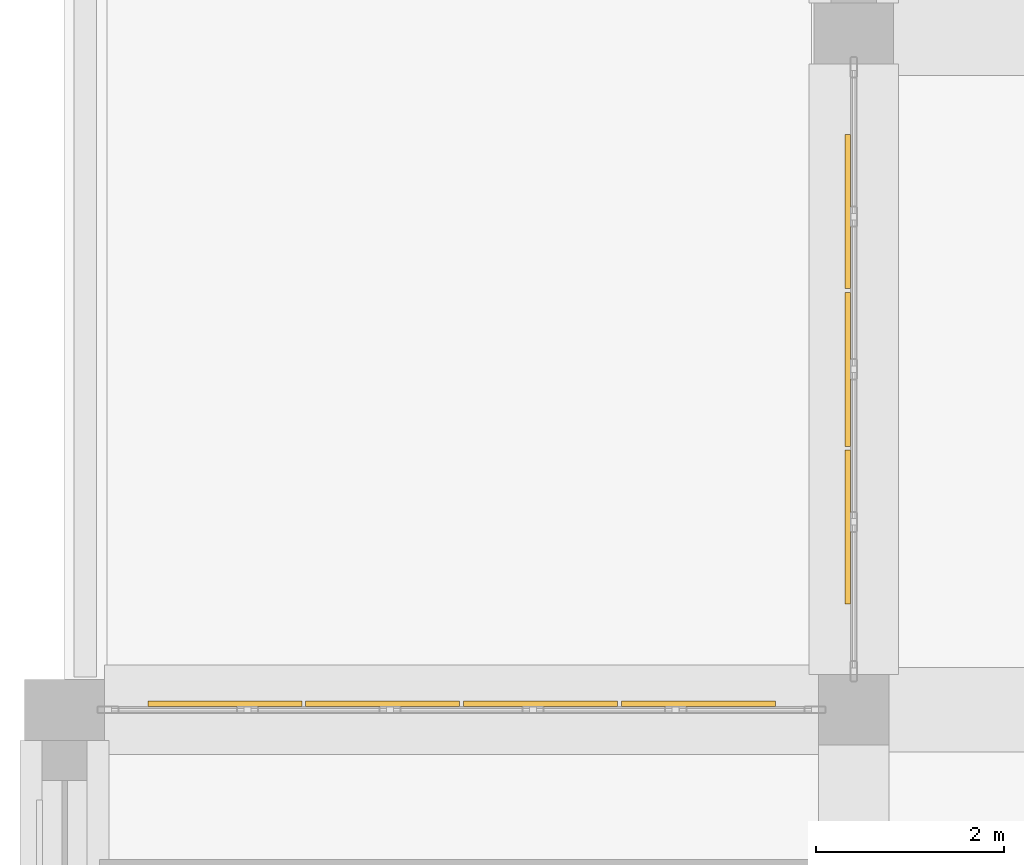
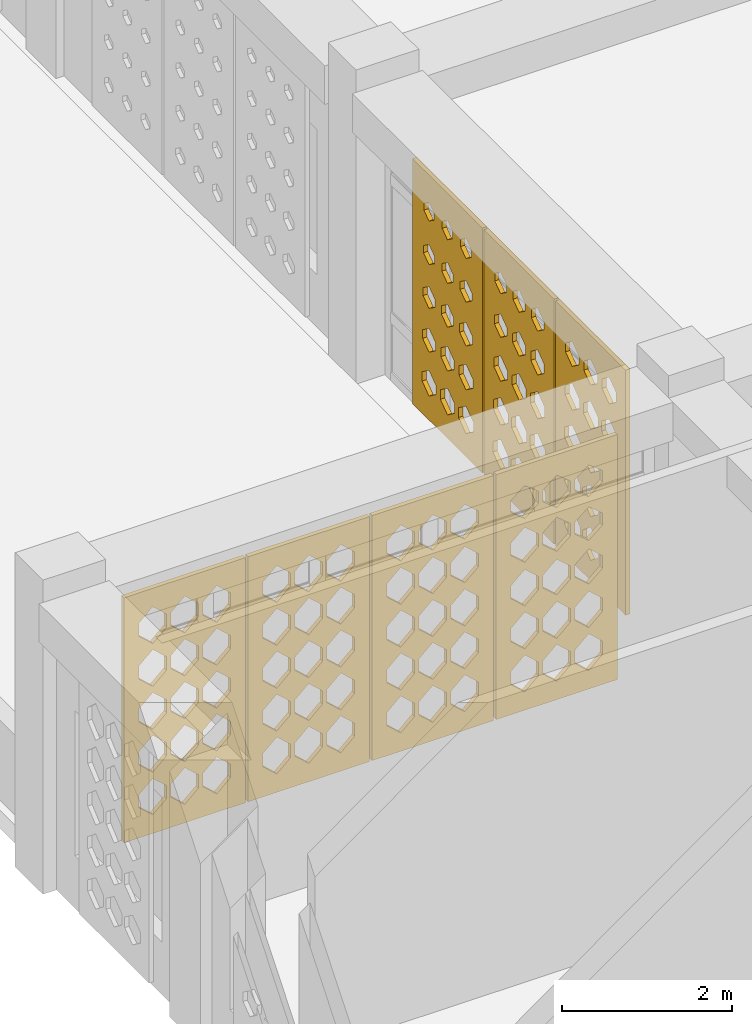
# One storey, part 74 of 100: 7 coverings.
"""IFC4 building model written with IfcOpenShell, lengths in metres."""

import ifcopenshell
import ifcopenshell.guid

model = None  # the IFC model being written
_history = None  # IfcOwnerHistory: only IFC2X3 demands one
_inside = {}  # id of a spatial element -> (the spatial element, [elements in it])
_under = {}  # id of a project, library or spatial element -> (it, [spatial elements below it])
_declared = {}  # id of a project -> (the project, [libraries it declares])
_typed = {}  # id of a type object -> (the type object, [elements of that type])
_made_of = {}  # id of a material, layer set ... -> (it, [elements and type objects made of it])


def new_model(schema):
    """Start an empty IFC model of exactly this schema.

    Asked for "IFC4X3", IfcOpenShell would pick the latest addendum, in which some entities
    have other attributes; the version numbers below select the first issue.
    IFC2X3 requires an IfcOwnerHistory on every rooted entity: one is made here for all.
    """
    global model, _history
    if schema == "IFC4X3":
        model = ifcopenshell.file(schema_version=(4, 3, 0, 0))
    else:
        model = ifcopenshell.file(schema=schema)
    _inside.clear()
    _under.clear()
    _declared.clear()
    _typed.clear()
    _made_of.clear()
    _history = None
    if model.schema == "IFC2X3":
        org = make("IfcOrganization", Name="unknown")
        user = make(
            "IfcPersonAndOrganization",
            ThePerson=make("IfcPerson", FamilyName="unknown"),
            TheOrganization=org,
        )
        app = make(
            "IfcApplication",
            ApplicationDeveloper=org,
            Version="unknown",
            ApplicationFullName="unknown",
            ApplicationIdentifier="unknown",
        )
        _history = make(
            "IfcOwnerHistory",
            OwningUser=user,
            OwningApplication=app,
            ChangeAction="ADDED",
            CreationDate=0,
        )
    return model


def make(cls, **values):
    """One entity of the class cls with the attributes given. An attribute that is None is left unset."""
    return model.create_entity(
        cls, **{name: value for name, value in values.items() if value is not None}
    )


def rooted(cls, **values):
    """An entity with a GlobalId (a new one), such as an element, a storey or a relation."""
    return make(cls, GlobalId=ifcopenshell.guid.new(), OwnerHistory=_history, **values)


def si_unit(unit_type, name, prefix=None):
    """IfcSIUnit, for example si_unit("LENGTHUNIT", "METRE", prefix="MILLI")."""
    return make("IfcSIUnit", UnitType=unit_type, Prefix=prefix, Name=name)


def derived_unit(unit_type, elements):
    """IfcDerivedUnit: a product of units, each with its exponent."""
    return make(
        "IfcDerivedUnit",
        Elements=[
            make("IfcDerivedUnitElement", Unit=unit, Exponent=power)
            for unit, power in elements
        ],
        UnitType=unit_type,
    )


def assignment(units):
    """IfcUnitAssignment: the units of a project."""
    return None if units is None else make("IfcUnitAssignment", Units=units)


def point(xyz):
    """IfcCartesianPoint."""
    return None if xyz is None else make("IfcCartesianPoint", Coordinates=xyz)


def direction(xyz):
    """IfcDirection."""
    return None if xyz is None else make("IfcDirection", DirectionRatios=xyz)


def frame(location, z_axis=None, x_axis=None):
    """IfcAxis2Placement3D, a coordinate frame: its origin and axes. An axis left out is left unset."""
    return make(
        "IfcAxis2Placement3D",
        Location=point(location),
        Axis=direction(z_axis),
        RefDirection=direction(x_axis),
    )


def origin():
    """The frame at (0, 0, 0) with its axes left unset."""
    return frame((0.0, 0.0, 0.0))


def place(relative_to, where):
    """IfcLocalPlacement: puts the frame where relative to a parent placement (None: the world)."""
    return make(
        "IfcLocalPlacement", PlacementRelTo=relative_to, RelativePlacement=where
    )


def context(
    kind, dimensions, precision=None, world=None, true_north=None, identifier=None
):
    """IfcGeometricRepresentationContext, for example the 3D "Model" context."""
    return make(
        "IfcGeometricRepresentationContext",
        ContextIdentifier=identifier,
        ContextType=kind,
        CoordinateSpaceDimension=dimensions,
        Precision=precision,
        WorldCoordinateSystem=world,
        TrueNorth=true_north,
    )


def subcontext(parent, identifier, kind, view, scale=None):
    """IfcGeometricRepresentationSubContext, for example "Body" below "Model"."""
    return make(
        "IfcGeometricRepresentationSubContext",
        ContextIdentifier=identifier,
        ContextType=kind,
        ParentContext=parent,
        TargetScale=scale,
        TargetView=view,
    )


def project(units=None, contexts=None):
    """IfcProject with its units and contexts."""
    return rooted(
        "IfcProject",
        Name="project",
        RepresentationContexts=contexts,
        UnitsInContext=assignment(units),
    )


def spatial(cls, under=None, at=None, **own):
    """A site, building, storey or space (cls), placed at a placement, below another one or the project."""
    s = rooted(cls, ObjectPlacement=at, **own)
    if under is not None:
        _under.setdefault(under.id(), (under, []))[1].append(s)
    return s


def polyline(points):
    """IfcPolyline through the points."""
    return make("IfcPolyline", Points=[point(p) for p in points])


def outline(outer, holes=None, kind="AREA"):
    """IfcArbitraryClosedProfileDef: a profile drawn as a closed curve; with holes, ...WithVoids."""
    if holes is None:
        return make("IfcArbitraryClosedProfileDef", ProfileType=kind, OuterCurve=outer)
    return make(
        "IfcArbitraryProfileDefWithVoids",
        ProfileType=kind,
        OuterCurve=outer,
        InnerCurves=holes,
    )


def extrude(swept, where, along, depth):
    """IfcExtrudedAreaSolid: the profile swept, set in the frame where, extruded along a direction by depth."""
    return make(
        "IfcExtrudedAreaSolid",
        SweptArea=swept,
        Position=where,
        ExtrudedDirection=direction(along),
        Depth=depth,
    )


def shape(context_of_items, identifier, shape_type, items):
    """IfcShapeRepresentation: the items that make up one representation, for example the "Body"."""
    return make(
        "IfcShapeRepresentation",
        ContextOfItems=context_of_items,
        RepresentationIdentifier=identifier,
        RepresentationType=shape_type,
        Items=items,
    )


def material(Name=None, Category=None):
    """IfcMaterial."""
    return make("IfcMaterial", Name=Name, Category=Category)


def layer(
    of_material, thickness, ventilated=None, Name=None, Category=None, Priority=None
):
    """IfcMaterialLayer: one layer of a wall or slab, of a material (None: an air gap)."""
    return make(
        "IfcMaterialLayer",
        Material=of_material,
        LayerThickness=thickness,
        IsVentilated=ventilated,
        Name=Name,
        Category=Category,
        Priority=Priority,
    )


def layer_set(layers, Name=None):
    """IfcMaterialLayerSet."""
    return make("IfcMaterialLayerSet", MaterialLayers=layers, LayerSetName=Name)


def made_of(thing, what):
    """Note that an element or type object is made of a material, layer set ...; save() writes the relation."""
    if what is not None:
        _made_of.setdefault(what.id(), (what, []))[1].append(thing)
    return thing


def type_object(cls, material=None, **own):
    """A type object (cls), such as IfcWallType, which elements share."""
    return made_of(rooted(cls, **own), material)


def element(
    cls,
    number,
    at=None,
    inside=None,
    cuts=None,
    type_object=None,
    material=None,
    context=None,
    identifier="Body",
    shape_type=None,
    held_by="IfcProductDefinitionShape",
    body=None,
    shapes=None,
    **own,
):
    """One element of the class cls, such as IfcWall. Its Tag is "e" and its number.

    at: its placement. inside: the storey or other place that contains it. cuts: it is an
    opening in that element (IfcRelVoidsElement). A single representation is given by context,
    identifier, shape_type and body (its items); several are given by shapes. held_by: the class
    of the entity that holds the representations. save() writes the other relations.
    """
    e = rooted(cls, Tag="e%d" % number, ObjectPlacement=at, **own)
    if body is not None:
        shapes = [shape(context, identifier, shape_type, body)]
    if shapes is not None:
        e.Representation = make(held_by, Representations=shapes)
    if inside is not None:
        _inside.setdefault(inside.id(), (inside, []))[1].append(e)
    if cuts is not None:
        rooted(
            "IfcRelVoidsElement", RelatingBuildingElement=cuts, RelatedOpeningElement=e
        )
    if type_object is not None:
        _typed.setdefault(type_object.id(), (type_object, []))[1].append(e)
    return made_of(e, material)


def aggregate(whole, parts):
    """IfcRelAggregates: a whole, such as a stair, and the parts it consists of."""
    return rooted("IfcRelAggregates", RelatingObject=whole, RelatedObjects=parts)


def save(model, path):
    """Write the relations noted so far, then the file.

    IfcRelAggregates (storeys below a building ...), IfcRelContainedInSpatialStructure (elements
    in a storey), IfcRelDefinesByType, IfcRelAssociatesMaterial and IfcRelDeclares: one each for
    every whole, place, type object, material and project.
    """
    for whole, parts in _under.values():
        aggregate(whole, parts)
    for where, things in _inside.values():
        rooted(
            "IfcRelContainedInSpatialStructure",
            RelatedElements=things,
            RelatingStructure=where,
        )
    for kind, things in _typed.values():
        rooted("IfcRelDefinesByType", RelatedObjects=things, RelatingType=kind)
    for what, things in _made_of.values():
        rooted("IfcRelAssociatesMaterial", RelatedObjects=things, RelatingMaterial=what)
    for by, libraries in _declared.values():
        rooted("IfcRelDeclares", RelatingContext=by, RelatedDefinitions=libraries)
    model.write(path)


model = new_model("IFC4")

# Units and contexts
model_context = context("Model", 3, precision=1e-05, world=origin(), true_north=direction((0.0, 1.0)))
body_context = subcontext(model_context, "Body", "Model", "MODEL_VIEW")
ifc_project = project(units=[si_unit("LENGTHUNIT", "METRE"), si_unit("AREAUNIT", "SQUARE_METRE"), si_unit("VOLUMEUNIT", "CUBIC_METRE"), si_unit("PLANEANGLEUNIT", "RADIAN"), si_unit("MASSUNIT", "GRAM", prefix="KILO"), derived_unit("THERMALTRANSMITTANCEUNIT", [(si_unit("POWERUNIT", "WATT"), 1), (si_unit("LENGTHUNIT", "METRE"), -2), (si_unit("THERMODYNAMICTEMPERATUREUNIT", "KELVIN"), -1)])], contexts=[model_context])

# Site, building, storey
site_placement = place(None, origin())
site = spatial("IfcSite", under=ifc_project, at=site_placement, CompositionType="ELEMENT")
building_placement = place(site_placement, origin())
building = spatial("IfcBuilding", under=site, at=building_placement, Name="Veybourne Emporium", CompositionType="ELEMENT")
storey_placement = place(building_placement, frame((0.0, 0.0, 14.39990234375)))
storey = spatial("IfcBuildingStorey", under=building, at=storey_placement, Name="L03", CompositionType="ELEMENT", Elevation=14.39990234375)

# Coverings
ifc_material = material(Name="Warm-White Perforated Aluminium Screen Alloy", Category="aluminium")
ifc_layer_1 = layer(ifc_material, 0.06005859375)
ifc_layer_set_1 = layer_set([ifc_layer_1], Name="Warm-White Perforated Aluminium Screen Alloy")
covering_type_1 = type_object("IfcCoveringType", Name="WaveScreen_SCR-01", PredefinedType="CLADDING", material=ifc_layer_set_1)
covering_1_placement = place(storey_placement, frame((5.06494140625, 50.49560546875, 1.815185546875), z_axis=(0.0, -1.0, 0.0), x_axis=(1.0, 0.0, 0.0)))
element("IfcCovering", 1, at=covering_1_placement, inside=storey, type_object=covering_type_1, Name="L03 wave-perforated aluminium screen SCR-01 (6C.3)", PredefinedType="CLADDING", context=body_context, shape_type="SweptSolid", body=[
    extrude(outline(polyline([(-0.81982421875, -1.7548828125), (0.81982421875, -1.7548828125), (0.81982421875, 1.7548828125), (-0.81982421875, 1.7548828125), (-0.81982421875, -1.7548828125)]), holes=[polyline([(-0.433349609375, -0.964111328125), (-0.2470703125, -1.133056640625), (-0.2470703125, -1.322998046875), (-0.433349609375, -1.491943359375), (-0.61962890625, -1.322998046875), (-0.61962890625, -1.133056640625), (-0.433349609375, -0.964111328125)]), polyline([(-0.433349609375, -0.35009765625), (-0.2470703125, -0.51904296875), (-0.2470703125, -0.708984375), (-0.433349609375, -0.8779296875), (-0.61962890625, -0.708984375), (-0.61962890625, -0.51904296875), (-0.433349609375, -0.35009765625)]), polyline([(-0.433349609375, 0.263916015625), (-0.2470703125, 0.094970703125), (-0.2470703125, -0.094970703125), (-0.433349609375, -0.263916015625), (-0.61962890625, -0.094970703125), (-0.61962890625, 0.094970703125), (-0.433349609375, 0.263916015625)]), polyline([(-0.433349609375, 0.8779296875), (-0.2470703125, 0.708984375), (-0.2470703125, 0.51904296875), (-0.433349609375, 0.35009765625), (-0.61962890625, 0.51904296875), (-0.61962890625, 0.708984375), (-0.433349609375, 0.8779296875)]), polyline([(-0.433349609375, 1.485595703125), (-0.2470703125, 1.32080078125), (-0.2470703125, 1.13525390625), (-0.433349609375, 0.970458984375), (-0.61962890625, 1.13525390625), (-0.61962890625, 1.32080078125), (-0.433349609375, 1.485595703125)]), polyline([(0.0, -0.964111328125), (0.186279296875, -1.133056640625), (0.186279296875, -1.322998046875), (0.0, -1.491943359375), (-0.186279296875, -1.322998046875), (-0.186279296875, -1.133056640625), (0.0, -0.964111328125)]), polyline([(0.0, -0.35009765625), (0.186279296875, -0.51904296875), (0.186279296875, -0.708984375), (0.0, -0.8779296875), (-0.186279296875, -0.708984375), (-0.186279296875, -0.51904296875), (0.0, -0.35009765625)]), polyline([(0.0, 0.263916015625), (0.186279296875, 0.094970703125), (0.186279296875, -0.094970703125), (0.0, -0.263916015625), (-0.186279296875, -0.094970703125), (-0.186279296875, 0.094970703125), (0.0, 0.263916015625)]), polyline([(0.0, 0.8759765625), (0.186279296875, 0.708251953125), (0.186279296875, 0.519775390625), (0.0, 0.35205078125), (-0.186279296875, 0.519775390625), (-0.186279296875, 0.708251953125), (0.0, 0.8759765625)]), polyline([(0.0, 1.481201171875), (0.186279296875, 1.319091796875), (0.186279296875, 1.13671875), (0.0, 0.974609375), (-0.186279296875, 1.13671875), (-0.186279296875, 1.319091796875), (0.0, 1.481201171875)]), polyline([(0.433349609375, -0.964111328125), (0.61962890625, -1.133056640625), (0.61962890625, -1.322998046875), (0.433349609375, -1.491943359375), (0.2470703125, -1.322998046875), (0.2470703125, -1.133056640625), (0.433349609375, -0.964111328125)]), polyline([(0.433349609375, -0.35009765625), (0.61962890625, -0.51904296875), (0.61962890625, -0.708984375), (0.433349609375, -0.8779296875), (0.2470703125, -0.708984375), (0.2470703125, -0.51904296875), (0.433349609375, -0.35009765625)]), polyline([(0.433349609375, 0.263916015625), (0.61962890625, 0.094970703125), (0.61962890625, -0.094970703125), (0.433349609375, -0.263916015625), (0.2470703125, -0.094970703125), (0.2470703125, 0.094970703125), (0.433349609375, 0.263916015625)]), polyline([(0.433349609375, 0.872314453125), (0.61962890625, 0.70703125), (0.61962890625, 0.52099609375), (0.433349609375, 0.355712890625), (0.2470703125, 0.52099609375), (0.2470703125, 0.70703125), (0.433349609375, 0.872314453125)]), polyline([(0.433349609375, 1.476806640625), (0.61962890625, 1.317626953125), (0.61962890625, 1.138427734375), (0.433349609375, 0.979248046875), (0.2470703125, 1.138427734375), (0.2470703125, 1.317626953125), (0.433349609375, 1.476806640625)])]), origin(), (0.0, 0.0, 1.0), 0.06005859375),
])
ifc_layer_2 = layer(ifc_material, 0.06005859375)
ifc_layer_set_2 = layer_set([ifc_layer_2], Name="Warm-White Perforated Aluminium Screen Alloy")
covering_type_2 = type_object("IfcCoveringType", Name="WaveScreen_SCR-02", PredefinedType="CLADDING", material=ifc_layer_set_2)
covering_2_placement = place(storey_placement, frame((6.7451171875, 50.49560546875, 1.815185546875), z_axis=(0.0, -1.0, 0.0), x_axis=(1.0, 0.0, 0.0)))
element("IfcCovering", 2, at=covering_2_placement, inside=storey, type_object=covering_type_2, Name="L03 wave-perforated aluminium screen SCR-02 (6C.4)", PredefinedType="CLADDING", context=body_context, shape_type="SweptSolid", body=[
    extrude(outline(polyline([(-0.81982421875, -1.7548828125), (0.81982421875, -1.7548828125), (0.81982421875, 1.7548828125), (-0.81982421875, 1.7548828125), (-0.81982421875, -1.7548828125)]), holes=[polyline([(-0.433349609375, -0.964111328125), (-0.2470703125, -1.133056640625), (-0.2470703125, -1.322998046875), (-0.433349609375, -1.491943359375), (-0.61962890625, -1.322998046875), (-0.61962890625, -1.133056640625), (-0.433349609375, -0.964111328125)]), polyline([(-0.433349609375, -0.35009765625), (-0.2470703125, -0.51904296875), (-0.2470703125, -0.708984375), (-0.433349609375, -0.8779296875), (-0.61962890625, -0.708984375), (-0.61962890625, -0.51904296875), (-0.433349609375, -0.35009765625)]), polyline([(-0.433349609375, 0.259521484375), (-0.2470703125, 0.093505859375), (-0.2470703125, -0.093505859375), (-0.433349609375, -0.259521484375), (-0.61962890625, -0.093505859375), (-0.61962890625, 0.093505859375), (-0.433349609375, 0.259521484375)]), polyline([(-0.433349609375, 0.8642578125), (-0.2470703125, 0.7041015625), (-0.2470703125, 0.52392578125), (-0.433349609375, 0.36376953125), (-0.61962890625, 0.52392578125), (-0.61962890625, 0.7041015625), (-0.433349609375, 0.8642578125)]), polyline([(-0.433349609375, 1.46728515625), (-0.2470703125, 1.314208984375), (-0.2470703125, 1.141845703125), (-0.433349609375, 0.988525390625), (-0.61962890625, 1.141845703125), (-0.61962890625, 1.314208984375), (-0.433349609375, 1.46728515625)]), polyline([(0.0, -0.964111328125), (0.186279296875, -1.133056640625), (0.186279296875, -1.322998046875), (0.0, -1.491943359375), (-0.186279296875, -1.322998046875), (-0.186279296875, -1.133056640625), (0.0, -0.964111328125)]), polyline([(0.0, -0.350341796875), (0.186279296875, -0.51904296875), (0.186279296875, -0.708984375), (0.0, -0.877685546875), (-0.186279296875, -0.708984375), (-0.186279296875, -0.51904296875), (0.0, -0.350341796875)]), polyline([(0.0, 0.255615234375), (0.186279296875, 0.092041015625), (0.186279296875, -0.092041015625), (0.0, -0.255615234375), (-0.186279296875, -0.092041015625), (-0.186279296875, 0.092041015625), (0.0, 0.255615234375)]), polyline([(0.0, 0.859619140625), (0.186279296875, 0.702392578125), (0.186279296875, 0.525634765625), (0.0, 0.368408203125), (-0.186279296875, 0.525634765625), (-0.186279296875, 0.702392578125), (0.0, 0.859619140625)]), polyline([(0.0, 1.4619140625), (0.186279296875, 1.312255859375), (0.186279296875, 1.143798828125), (0.0, 0.994140625), (-0.186279296875, 1.143798828125), (-0.186279296875, 1.312255859375), (0.0, 1.4619140625)]), polyline([(0.433349609375, -0.964111328125), (0.61962890625, -1.133056640625), (0.61962890625, -1.322998046875), (0.433349609375, -1.491943359375), (0.2470703125, -1.322998046875), (0.2470703125, -1.133056640625), (0.433349609375, -0.964111328125)]), polyline([(0.433349609375, -0.353759765625), (0.61962890625, -0.520263671875), (0.61962890625, -0.707763671875), (0.433349609375, -0.874267578125), (0.2470703125, -0.707763671875), (0.2470703125, -0.520263671875), (0.433349609375, -0.353759765625)]), polyline([(0.433349609375, 0.251220703125), (0.61962890625, 0.09033203125), (0.61962890625, -0.09033203125), (0.433349609375, -0.251220703125), (0.2470703125, -0.09033203125), (0.2470703125, 0.09033203125), (0.433349609375, 0.251220703125)]), polyline([(0.433349609375, 0.8544921875), (0.61962890625, 0.70068359375), (0.61962890625, 0.52734375), (0.433349609375, 0.37353515625), (0.2470703125, 0.52734375), (0.2470703125, 0.70068359375), (0.433349609375, 0.8544921875)]), polyline([(0.433349609375, 1.456298828125), (0.61962890625, 1.310302734375), (0.61962890625, 1.145751953125), (0.433349609375, 0.999755859375), (0.2470703125, 1.145751953125), (0.2470703125, 1.310302734375), (0.433349609375, 1.456298828125)])]), origin(), (0.0, 0.0, 1.0), 0.06005859375),
])
covering_3_placement = place(storey_placement, frame((8.306884765625, 52.344970703125, 1.815185546875), z_axis=(1.0, 0.0, 0.0), x_axis=(0.0, 1.0, 0.0)))
element("IfcCovering", 3, at=covering_3_placement, inside=storey, type_object=covering_type_2, Name="L03 wave-perforated aluminium screen SCR-02 (9C.1)", PredefinedType="CLADDING", context=body_context, shape_type="SweptSolid", body=[
    extrude(outline(polyline([(-0.81982421875, -1.7548828125), (0.81982421875, -1.7548828125), (0.81982421875, 1.7548828125), (-0.81982421875, 1.7548828125), (-0.81982421875, -1.7548828125)]), holes=[polyline([(-0.433349609375, -0.984619140625), (-0.2470703125, -1.140380859375), (-0.2470703125, -1.315673828125), (-0.433349609375, -1.471435546875), (-0.61962890625, -1.315673828125), (-0.61962890625, -1.140380859375), (-0.433349609375, -0.984619140625)]), polyline([(-0.433349609375, -0.38232421875), (-0.2470703125, -0.530517578125), (-0.2470703125, -0.697509765625), (-0.433349609375, -0.845703125), (-0.61962890625, -0.697509765625), (-0.61962890625, -0.530517578125), (-0.433349609375, -0.38232421875)]), polyline([(-0.433349609375, 0.21875), (-0.2470703125, 0.07861328125), (-0.2470703125, -0.07861328125), (-0.433349609375, -0.21875), (-0.61962890625, -0.07861328125), (-0.61962890625, 0.07861328125), (-0.433349609375, 0.21875)]), polyline([(-0.433349609375, 0.81884765625), (-0.255615234375, 0.687744140625), (-0.255615234375, 0.540283203125), (-0.433349609375, 0.4091796875), (-0.611083984375, 0.540283203125), (-0.611083984375, 0.687744140625), (-0.433349609375, 0.81884765625)]), polyline([(-0.433349609375, 1.418701171875), (-0.26708984375, 1.296630859375), (-0.26708984375, 1.1591796875), (-0.433349609375, 1.037109375), (-0.599365234375, 1.1591796875), (-0.599365234375, 1.296630859375), (-0.433349609375, 1.418701171875)]), polyline([(0.0, -0.98974609375), (0.186279296875, -1.14208984375), (0.186279296875, -1.313720703125), (0.0, -1.46630859375), (-0.186279296875, -1.313720703125), (-0.186279296875, -1.14208984375), (0.0, -0.98974609375)]), polyline([(0.0, -0.38818359375), (0.186279296875, -0.53271484375), (0.186279296875, -0.6953125), (0.0, -0.83984375), (-0.186279296875, -0.6953125), (-0.186279296875, -0.53271484375), (0.0, -0.38818359375)]), polyline([(0.0, 0.21240234375), (0.183837890625, 0.076416015625), (0.183837890625, -0.076416015625), (0.0, -0.21240234375), (-0.183837890625, -0.076416015625), (-0.183837890625, 0.076416015625), (0.0, 0.21240234375)]), polyline([(0.0, 0.8125), (0.17236328125, 0.685546875), (0.17236328125, 0.54248046875), (0.0, 0.41552734375), (-0.17236328125, 0.54248046875), (-0.17236328125, 0.685546875), (0.0, 0.8125)]), polyline([(0.0, 1.412353515625), (0.160888671875, 1.29443359375), (0.160888671875, 1.16162109375), (0.0, 1.043701171875), (-0.160888671875, 1.16162109375), (-0.160888671875, 1.29443359375), (0.0, 1.412353515625)]), polyline([(0.433349609375, -0.9951171875), (0.61962890625, -1.144287109375), (0.61962890625, -1.311767578125), (0.433349609375, -1.460693359375), (0.2470703125, -1.311767578125), (0.2470703125, -1.144287109375), (0.433349609375, -0.9951171875)]), polyline([(0.433349609375, -0.39404296875), (0.61962890625, -0.534912109375), (0.61962890625, -0.693115234375), (0.433349609375, -0.833984375), (0.2470703125, -0.693115234375), (0.2470703125, -0.534912109375), (0.433349609375, -0.39404296875)]), polyline([(0.433349609375, 0.206298828125), (0.612060546875, 0.07421875), (0.612060546875, -0.07421875), (0.433349609375, -0.206298828125), (0.254638671875, -0.07421875), (0.254638671875, 0.07421875), (0.433349609375, 0.206298828125)]), polyline([(0.433349609375, 0.80615234375), (0.6005859375, 0.68310546875), (0.6005859375, 0.544921875), (0.433349609375, 0.421875), (0.26611328125, 0.544921875), (0.26611328125, 0.68310546875), (0.433349609375, 0.80615234375)]), polyline([(0.433349609375, 1.406005859375), (0.589111328125, 1.2919921875), (0.589111328125, 1.163818359375), (0.433349609375, 1.050048828125), (0.277587890625, 1.163818359375), (0.277587890625, 1.2919921875), (0.433349609375, 1.406005859375)])]), origin(), (0.0, 0.0, 1.0), 0.06005859375),
])
ifc_layer_3 = layer(ifc_material, 0.06005859375)
ifc_layer_set_3 = layer_set([ifc_layer_3], Name="Warm-White Perforated Aluminium Screen Alloy")
covering_type_3 = type_object("IfcCoveringType", Name="WaveScreen_SCR-03", PredefinedType="CLADDING", material=ifc_layer_set_3)
covering_4_placement = place(storey_placement, frame((1.705078125, 50.49560546875, 1.815185546875), z_axis=(0.0, -1.0, 0.0), x_axis=(1.0, 0.0, 0.0)))
element("IfcCovering", 4, at=covering_4_placement, inside=storey, type_object=covering_type_3, Name="L03 wave-perforated aluminium screen SCR-03 (6C.1)", PredefinedType="CLADDING", context=body_context, shape_type="SweptSolid", body=[
    extrude(outline(polyline([(-0.81982421875, -1.7548828125), (0.81982421875, -1.7548828125), (0.81982421875, 1.7548828125), (-0.81982421875, 1.7548828125), (-0.81982421875, -1.7548828125)]), holes=[polyline([(-0.433349609375, -0.96875), (-0.2470703125, -1.134765625), (-0.2470703125, -1.3212890625), (-0.433349609375, -1.4873046875), (-0.61962890625, -1.3212890625), (-0.61962890625, -1.134765625), (-0.433349609375, -0.96875)]), polyline([(-0.433349609375, -0.35009765625), (-0.2470703125, -0.51904296875), (-0.2470703125, -0.708984375), (-0.433349609375, -0.8779296875), (-0.61962890625, -0.708984375), (-0.61962890625, -0.51904296875), (-0.433349609375, -0.35009765625)]), polyline([(-0.433349609375, 0.263916015625), (-0.2470703125, 0.094970703125), (-0.2470703125, -0.094970703125), (-0.433349609375, -0.263916015625), (-0.61962890625, -0.094970703125), (-0.61962890625, 0.094970703125), (-0.433349609375, 0.263916015625)]), polyline([(-0.433349609375, 0.8779296875), (-0.2470703125, 0.708984375), (-0.2470703125, 0.51904296875), (-0.433349609375, 0.35009765625), (-0.61962890625, 0.51904296875), (-0.61962890625, 0.708984375), (-0.433349609375, 0.8779296875)]), polyline([(-0.433349609375, 1.491943359375), (-0.2470703125, 1.322998046875), (-0.2470703125, 1.133056640625), (-0.433349609375, 0.964111328125), (-0.61962890625, 1.133056640625), (-0.61962890625, 1.322998046875), (-0.433349609375, 1.491943359375)]), polyline([(0.0, -0.965087890625), (0.186279296875, -1.13330078125), (0.186279296875, -1.322509765625), (0.0, -1.49072265625), (-0.186279296875, -1.322509765625), (-0.186279296875, -1.13330078125), (0.0, -0.965087890625)]), polyline([(0.0, -0.35009765625), (0.186279296875, -0.51904296875), (0.186279296875, -0.708984375), (0.0, -0.8779296875), (-0.186279296875, -0.708984375), (-0.186279296875, -0.51904296875), (0.0, -0.35009765625)]), polyline([(0.0, 0.263916015625), (0.186279296875, 0.094970703125), (0.186279296875, -0.094970703125), (0.0, -0.263916015625), (-0.186279296875, -0.094970703125), (-0.186279296875, 0.094970703125), (0.0, 0.263916015625)]), polyline([(0.0, 0.8779296875), (0.186279296875, 0.708984375), (0.186279296875, 0.51904296875), (0.0, 0.35009765625), (-0.186279296875, 0.51904296875), (-0.186279296875, 0.708984375), (0.0, 0.8779296875)]), polyline([(0.0, 1.491943359375), (0.186279296875, 1.322998046875), (0.186279296875, 1.133056640625), (0.0, 0.964111328125), (-0.186279296875, 1.133056640625), (-0.186279296875, 1.322998046875), (0.0, 1.491943359375)]), polyline([(0.433349609375, -0.964111328125), (0.61962890625, -1.133056640625), (0.61962890625, -1.322998046875), (0.433349609375, -1.491943359375), (0.2470703125, -1.322998046875), (0.2470703125, -1.133056640625), (0.433349609375, -0.964111328125)]), polyline([(0.433349609375, -0.35009765625), (0.61962890625, -0.51904296875), (0.61962890625, -0.708984375), (0.433349609375, -0.8779296875), (0.2470703125, -0.708984375), (0.2470703125, -0.51904296875), (0.433349609375, -0.35009765625)]), polyline([(0.433349609375, 0.263916015625), (0.61962890625, 0.094970703125), (0.61962890625, -0.094970703125), (0.433349609375, -0.263916015625), (0.2470703125, -0.094970703125), (0.2470703125, 0.094970703125), (0.433349609375, 0.263916015625)]), polyline([(0.433349609375, 0.8779296875), (0.61962890625, 0.708984375), (0.61962890625, 0.51904296875), (0.433349609375, 0.35009765625), (0.2470703125, 0.51904296875), (0.2470703125, 0.708984375), (0.433349609375, 0.8779296875)]), polyline([(0.433349609375, 1.491943359375), (0.61962890625, 1.322998046875), (0.61962890625, 1.133056640625), (0.433349609375, 0.964111328125), (0.2470703125, 1.133056640625), (0.2470703125, 1.322998046875), (0.433349609375, 1.491943359375)])]), origin(), (0.0, 0.0, 1.0), 0.06005859375),
])
covering_5_placement = place(storey_placement, frame((8.306884765625, 54.02490234375, 1.815185546875), z_axis=(1.0, 0.0, 0.0), x_axis=(0.0, 1.0, 0.0)))
element("IfcCovering", 5, at=covering_5_placement, inside=storey, type_object=covering_type_3, Name="L03 wave-perforated aluminium screen SCR-03 (9C.2)", PredefinedType="CLADDING", context=body_context, shape_type="SweptSolid", body=[
    extrude(outline(polyline([(-0.81982421875, -1.7548828125), (0.81982421875, -1.7548828125), (0.81982421875, 1.7548828125), (-0.81982421875, 1.7548828125), (-0.81982421875, -1.7548828125)]), holes=[polyline([(-0.433349609375, -1.006103515625), (-0.2470703125, -1.148193359375), (-0.2470703125, -1.307861328125), (-0.433349609375, -1.449951171875), (-0.61962890625, -1.307861328125), (-0.61962890625, -1.148193359375), (-0.433349609375, -1.006103515625)]), polyline([(-0.433349609375, -0.40576171875), (-0.2529296875, -0.5390625), (-0.2529296875, -0.68896484375), (-0.433349609375, -0.822265625), (-0.61376953125, -0.68896484375), (-0.61376953125, -0.5390625), (-0.433349609375, -0.40576171875)]), polyline([(-0.433349609375, 0.194091796875), (-0.264404296875, 0.06982421875), (-0.264404296875, -0.06982421875), (-0.433349609375, -0.194091796875), (-0.602294921875, -0.06982421875), (-0.602294921875, 0.06982421875), (-0.433349609375, 0.194091796875)]), polyline([(-0.433349609375, 0.794189453125), (-0.27587890625, 0.6787109375), (-0.27587890625, 0.54931640625), (-0.433349609375, 0.433837890625), (-0.5908203125, 0.54931640625), (-0.5908203125, 0.6787109375), (-0.433349609375, 0.794189453125)]), polyline([(-0.433349609375, 1.394287109375), (-0.287353515625, 1.287841796875), (-0.287353515625, 1.168212890625), (-0.433349609375, 1.061767578125), (-0.579345703125, 1.168212890625), (-0.579345703125, 1.287841796875), (-0.433349609375, 1.394287109375)]), polyline([(0.0, -1.01220703125), (0.186279296875, -1.150390625), (0.186279296875, -1.3056640625), (0.0, -1.44384765625), (-0.186279296875, -1.3056640625), (-0.186279296875, -1.150390625), (0.0, -1.01220703125)]), polyline([(0.0, -0.412109375), (0.17529296875, -0.541259765625), (0.17529296875, -0.686767578125), (0.0, -0.81591796875), (-0.17529296875, -0.686767578125), (-0.17529296875, -0.541259765625), (0.0, -0.412109375)]), polyline([(0.0, 0.187744140625), (0.16357421875, 0.067626953125), (0.16357421875, -0.067626953125), (0.0, -0.187744140625), (-0.16357421875, -0.067626953125), (-0.16357421875, 0.067626953125), (0.0, 0.187744140625)]), polyline([(0.0, 0.78759765625), (0.152099609375, 0.676513671875), (0.152099609375, 0.551513671875), (0.0, 0.440185546875), (-0.152099609375, 0.551513671875), (-0.152099609375, 0.676513671875), (0.0, 0.78759765625)]), polyline([(0.0, 1.38818359375), (0.14111328125, 1.28564453125), (0.14111328125, 1.17041015625), (0.0, 1.067626953125), (-0.14111328125, 1.17041015625), (-0.14111328125, 1.28564453125), (0.0, 1.38818359375)]), polyline([(0.433349609375, -1.018310546875), (0.61474609375, -1.152587890625), (0.61474609375, -1.303466796875), (0.433349609375, -1.4375), (0.251953125, -1.303466796875), (0.251953125, -1.152587890625), (0.433349609375, -1.018310546875)]), polyline([(0.433349609375, -0.41845703125), (0.603271484375, -0.543701171875), (0.603271484375, -0.684326171875), (0.433349609375, -0.8095703125), (0.263427734375, -0.684326171875), (0.263427734375, -0.543701171875), (0.433349609375, -0.41845703125)]), polyline([(0.433349609375, 0.181396484375), (0.591796875, 0.065185546875), (0.591796875, -0.065185546875), (0.433349609375, -0.181396484375), (0.27490234375, -0.065185546875), (0.27490234375, 0.065185546875), (0.433349609375, 0.181396484375)]), polyline([(0.433349609375, 0.781494140625), (0.580322265625, 0.67431640625), (0.580322265625, 0.5537109375), (0.433349609375, 0.446533203125), (0.286376953125, 0.5537109375), (0.286376953125, 0.67431640625), (0.433349609375, 0.781494140625)]), polyline([(0.433349609375, 1.382568359375), (0.569580078125, 1.28369140625), (0.569580078125, 1.17236328125), (0.433349609375, 1.073486328125), (0.297119140625, 1.17236328125), (0.297119140625, 1.28369140625), (0.433349609375, 1.382568359375)])]), origin(), (0.0, 0.0, 1.0), 0.06005859375),
])
ifc_layer_4 = layer(ifc_material, 0.06005859375)
ifc_layer_set_4 = layer_set([ifc_layer_4], Name="Warm-White Perforated Aluminium Screen Alloy")
covering_type_4 = type_object("IfcCoveringType", Name="WaveScreen_SCR-04", PredefinedType="CLADDING", material=ifc_layer_set_4)
covering_6_placement = place(storey_placement, frame((3.385009765625, 50.49560546875, 1.815185546875), z_axis=(0.0, -1.0, 0.0), x_axis=(1.0, 0.0, 0.0)))
element("IfcCovering", 6, at=covering_6_placement, inside=storey, type_object=covering_type_4, Name="L03 wave-perforated aluminium screen SCR-04 (6C.2)", PredefinedType="CLADDING", context=body_context, shape_type="SweptSolid", body=[
    extrude(outline(polyline([(-0.81982421875, -1.7548828125), (0.81982421875, -1.7548828125), (0.81982421875, 1.7548828125), (-0.81982421875, 1.7548828125), (-0.81982421875, -1.7548828125)]), holes=[polyline([(-0.433349609375, -0.964111328125), (-0.2470703125, -1.133056640625), (-0.2470703125, -1.322998046875), (-0.433349609375, -1.491943359375), (-0.61962890625, -1.322998046875), (-0.61962890625, -1.133056640625), (-0.433349609375, -0.964111328125)]), polyline([(-0.433349609375, -0.35009765625), (-0.2470703125, -0.51904296875), (-0.2470703125, -0.708984375), (-0.433349609375, -0.8779296875), (-0.61962890625, -0.708984375), (-0.61962890625, -0.51904296875), (-0.433349609375, -0.35009765625)]), polyline([(-0.433349609375, 0.263916015625), (-0.2470703125, 0.094970703125), (-0.2470703125, -0.094970703125), (-0.433349609375, -0.263916015625), (-0.61962890625, -0.094970703125), (-0.61962890625, 0.094970703125), (-0.433349609375, 0.263916015625)]), polyline([(-0.433349609375, 0.8779296875), (-0.2470703125, 0.708984375), (-0.2470703125, 0.51904296875), (-0.433349609375, 0.35009765625), (-0.61962890625, 0.51904296875), (-0.61962890625, 0.708984375), (-0.433349609375, 0.8779296875)]), polyline([(-0.433349609375, 1.491943359375), (-0.2470703125, 1.322998046875), (-0.2470703125, 1.133056640625), (-0.433349609375, 0.964111328125), (-0.61962890625, 1.133056640625), (-0.61962890625, 1.322998046875), (-0.433349609375, 1.491943359375)]), polyline([(0.0, -0.964111328125), (0.186279296875, -1.133056640625), (0.186279296875, -1.322998046875), (0.0, -1.491943359375), (-0.186279296875, -1.322998046875), (-0.186279296875, -1.133056640625), (0.0, -0.964111328125)]), polyline([(0.0, -0.35009765625), (0.186279296875, -0.51904296875), (0.186279296875, -0.708984375), (0.0, -0.8779296875), (-0.186279296875, -0.708984375), (-0.186279296875, -0.51904296875), (0.0, -0.35009765625)]), polyline([(0.0, 0.263916015625), (0.186279296875, 0.094970703125), (0.186279296875, -0.094970703125), (0.0, -0.263916015625), (-0.186279296875, -0.094970703125), (-0.186279296875, 0.094970703125), (0.0, 0.263916015625)]), polyline([(0.0, 0.8779296875), (0.186279296875, 0.708984375), (0.186279296875, 0.51904296875), (0.0, 0.35009765625), (-0.186279296875, 0.51904296875), (-0.186279296875, 0.708984375), (0.0, 0.8779296875)]), polyline([(0.0, 1.491943359375), (0.186279296875, 1.322998046875), (0.186279296875, 1.133056640625), (0.0, 0.964111328125), (-0.186279296875, 1.133056640625), (-0.186279296875, 1.322998046875), (0.0, 1.491943359375)]), polyline([(0.433349609375, -0.964111328125), (0.61962890625, -1.133056640625), (0.61962890625, -1.322998046875), (0.433349609375, -1.491943359375), (0.2470703125, -1.322998046875), (0.2470703125, -1.133056640625), (0.433349609375, -0.964111328125)]), polyline([(0.433349609375, -0.35009765625), (0.61962890625, -0.51904296875), (0.61962890625, -0.708984375), (0.433349609375, -0.8779296875), (0.2470703125, -0.708984375), (0.2470703125, -0.51904296875), (0.433349609375, -0.35009765625)]), polyline([(0.433349609375, 0.263916015625), (0.61962890625, 0.094970703125), (0.61962890625, -0.094970703125), (0.433349609375, -0.263916015625), (0.2470703125, -0.094970703125), (0.2470703125, 0.094970703125), (0.433349609375, 0.263916015625)]), polyline([(0.433349609375, 0.8779296875), (0.61962890625, 0.708984375), (0.61962890625, 0.51904296875), (0.433349609375, 0.35009765625), (0.2470703125, 0.51904296875), (0.2470703125, 0.708984375), (0.433349609375, 0.8779296875)]), polyline([(0.433349609375, 1.491943359375), (0.61962890625, 1.322998046875), (0.61962890625, 1.133056640625), (0.433349609375, 0.964111328125), (0.2470703125, 1.133056640625), (0.2470703125, 1.322998046875), (0.433349609375, 1.491943359375)])]), origin(), (0.0, 0.0, 1.0), 0.06005859375),
])
covering_7_placement = place(storey_placement, frame((8.306884765625, 55.705078125, 1.815185546875), z_axis=(1.0, 0.0, 0.0), x_axis=(0.0, 1.0, 0.0)))
element("IfcCovering", 7, at=covering_7_placement, inside=storey, type_object=covering_type_4, Name="L03 wave-perforated aluminium screen SCR-04 (9C.3)", PredefinedType="CLADDING", context=body_context, shape_type="SweptSolid", body=[
    extrude(outline(polyline([(-0.81982421875, -1.7548828125), (0.81982421875, -1.7548828125), (0.81982421875, 1.7548828125), (-0.81982421875, 1.7548828125), (-0.81982421875, -1.7548828125)]), holes=[polyline([(-0.433349609375, -1.030517578125), (-0.26171875, -1.156982421875), (-0.26171875, -1.299072265625), (-0.433349609375, -1.425537109375), (-0.60498046875, -1.299072265625), (-0.60498046875, -1.156982421875), (-0.433349609375, -1.030517578125)]), polyline([(-0.433349609375, -0.430419921875), (-0.273193359375, -0.548095703125), (-0.273193359375, -0.679931640625), (-0.433349609375, -0.797607421875), (-0.593505859375, -0.679931640625), (-0.593505859375, -0.548095703125), (-0.433349609375, -0.430419921875)]), polyline([(-0.433349609375, 0.169677734375), (-0.28466796875, 0.06103515625), (-0.28466796875, -0.06103515625), (-0.433349609375, -0.169677734375), (-0.58203125, -0.06103515625), (-0.58203125, 0.06103515625), (-0.433349609375, 0.169677734375)]), polyline([(-0.433349609375, 0.770263671875), (-0.29541015625, 0.67041015625), (-0.29541015625, 0.5576171875), (-0.433349609375, 0.457763671875), (-0.5712890625, 0.5576171875), (-0.5712890625, 0.67041015625), (-0.433349609375, 0.770263671875)]), polyline([(-0.433349609375, 1.372314453125), (-0.305419921875, 1.27978515625), (-0.305419921875, 1.176025390625), (-0.433349609375, 1.083740234375), (-0.561279296875, 1.176025390625), (-0.561279296875, 1.27978515625), (-0.433349609375, 1.372314453125)]), polyline([(0.0, -1.036865234375), (0.16650390625, -1.1591796875), (0.16650390625, -1.296875), (0.0, -1.419189453125), (-0.16650390625, -1.296875), (-0.16650390625, -1.1591796875), (0.0, -1.036865234375)]), polyline([(0.0, -0.43701171875), (0.15478515625, -0.55029296875), (0.15478515625, -0.677734375), (0.0, -0.791015625), (-0.15478515625, -0.677734375), (-0.15478515625, -0.55029296875), (0.0, -0.43701171875)]), polyline([(0.0, 0.16357421875), (0.143798828125, 0.058837890625), (0.143798828125, -0.058837890625), (0.0, -0.16357421875), (-0.143798828125, -0.058837890625), (-0.143798828125, 0.058837890625), (0.0, 0.16357421875)]), polyline([(0.0, 0.7646484375), (0.13330078125, 0.668212890625), (0.13330078125, 0.559814453125), (0.0, 0.46337890625), (-0.13330078125, 0.559814453125), (-0.13330078125, 0.668212890625), (0.0, 0.7646484375)]), polyline([(0.0, 1.3671875), (0.123779296875, 1.278076171875), (0.123779296875, 1.177978515625), (0.0, 1.0888671875), (-0.123779296875, 1.177978515625), (-0.123779296875, 1.278076171875), (0.0, 1.3671875)]), polyline([(0.433349609375, -1.043212890625), (0.594482421875, -1.16162109375), (0.594482421875, -1.29443359375), (0.433349609375, -1.412841796875), (0.272216796875, -1.29443359375), (0.272216796875, -1.16162109375), (0.433349609375, -1.043212890625)]), polyline([(0.433349609375, -0.443115234375), (0.5830078125, -0.552490234375), (0.5830078125, -0.675537109375), (0.433349609375, -0.784912109375), (0.28369140625, -0.675537109375), (0.28369140625, -0.552490234375), (0.433349609375, -0.443115234375)]), polyline([(0.433349609375, 0.157470703125), (0.572265625, 0.056640625), (0.572265625, -0.056640625), (0.433349609375, -0.157470703125), (0.29443359375, -0.056640625), (0.29443359375, 0.056640625), (0.433349609375, 0.157470703125)]), polyline([(0.433349609375, 0.75927734375), (0.562255859375, 0.666259765625), (0.562255859375, 0.561767578125), (0.433349609375, 0.46875), (0.304443359375, 0.561767578125), (0.304443359375, 0.666259765625), (0.433349609375, 0.75927734375)]), polyline([(0.433349609375, 1.3623046875), (0.55322265625, 1.2763671875), (0.55322265625, 1.1796875), (0.433349609375, 1.093505859375), (0.3134765625, 1.1796875), (0.3134765625, 1.2763671875), (0.433349609375, 1.3623046875)])]), origin(), (0.0, 0.0, 1.0), 0.06005859375),
])

save(model, "model.ifc")
